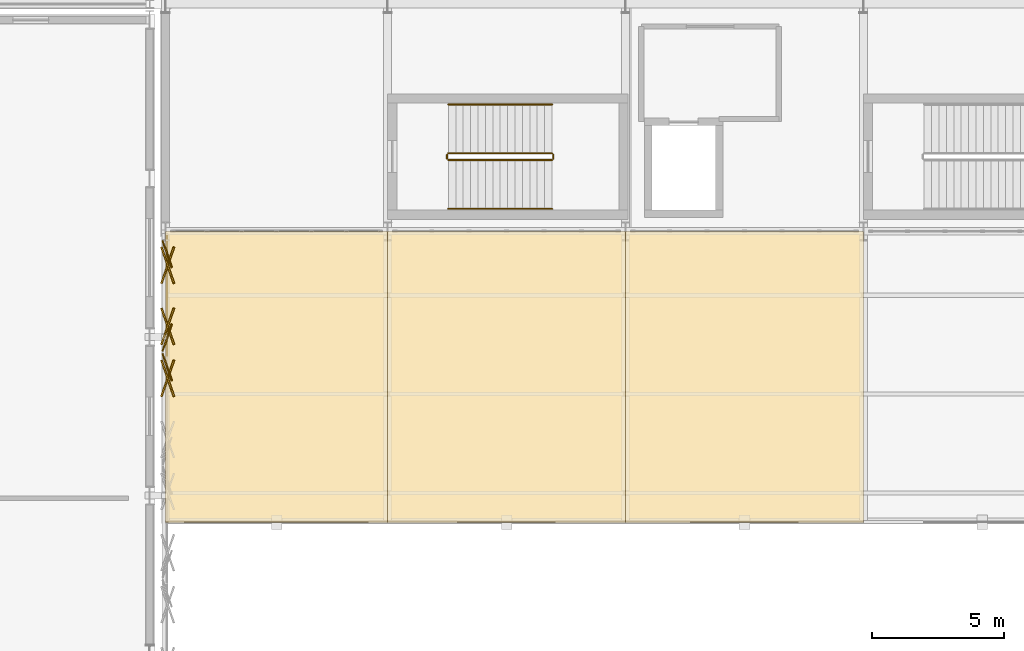
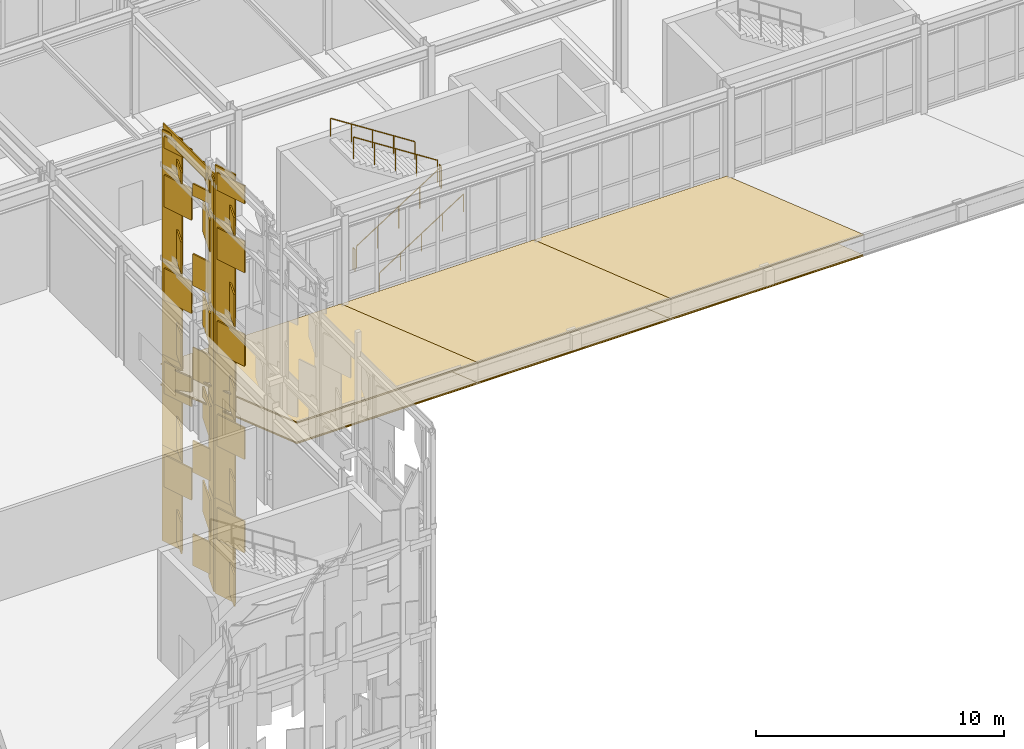
# One storey, part 222 of 239: 55 coverings, 6 railings.
"""IFC4 building model written with IfcOpenShell, lengths in metres."""

from ifc_helpers import new_model, si_unit, direction, frame, origin, origin_2d, place, context, subcontext, project, spatial, polyline, rectangle, circle, outline, extrude, material, layer, layer_set, type_object, element, save


model = new_model("IFC4")

# Units and contexts
model_context = context("Model", 3, precision=1e-05, world=origin(), true_north=direction((0.0, 1.0)))
body_context = subcontext(model_context, "Body", "Model", "MODEL_VIEW")
ifc_project = project(units=[si_unit("LENGTHUNIT", "METRE"), si_unit("AREAUNIT", "SQUARE_METRE"), si_unit("VOLUMEUNIT", "CUBIC_METRE"), si_unit("PLANEANGLEUNIT", "RADIAN"), si_unit("MASSUNIT", "GRAM", prefix="KILO")], contexts=[model_context])

# Site, building, storey
site_placement = place(None, origin())
site = spatial("IfcSite", under=ifc_project, at=site_placement, CompositionType="ELEMENT")
building_placement = place(site_placement, origin())
building = spatial("IfcBuilding", under=site, at=building_placement, Name="Kaldris Quays Convention Centre", CompositionType="ELEMENT")
storey_placement = place(building_placement, frame((0.0, 0.0, 11.39990234375)))
storey = spatial("IfcBuildingStorey", under=building, at=storey_placement, Name="L02", CompositionType="ELEMENT", Elevation=11.39990234375)

# Coverings
ifc_material_1 = material(Name="Alabaster white star-pierced anodized aluminium panel", Category="aluminium")
ifc_layer_1 = layer(ifc_material_1, 0.054931640625)
ifc_layer_set_1 = layer_set([ifc_layer_1], Name="Alabaster white star-pierced anodized aluminium panel")
covering_type_1 = type_object("IfcCoveringType", Name="ALABASTER WHITE STANDING SEAM ROOF SRF1", PredefinedType="ROOFING", material=ifc_layer_set_1)
covering_1_placement = place(storey_placement, frame((83.60009765625, 27.0, 4.642578125), z_axis=(0.0, 0.325567686474, 0.945518736739), x_axis=(1.0, 0.0, 0.0)))
element("IfcCovering", 1, at=covering_1_placement, inside=storey, type_object=covering_type_1, Name="WR-SOUTH-ENTRY Alabaster White Raised Wing Top Cladding 10", PredefinedType="ROOFING", context=body_context, shape_type="SweptSolid", body=[
    extrude(outline(polyline([(0.0, 0.0), (8.39990234375, 0.0), (8.39990234375, 11.633825510365476), (0.0, 11.633825510365476), (0.0, 0.0)])), origin(), (0.0, 0.0, -1.0), 0.054931640625),
])
for number, where, z_axis, x_axis, name in (
    (2, (92.0, 27.0, 4.642578125), (0.0, 0.325567686474, 0.945518736739), (1.0, 0.0, 0.0), "WR-SOUTH-ENTRY Alabaster White Raised Wing Top Cladding 11"),
    (3, (101.0, 27.0, 4.642578125), (0.0, 0.325567686474, 0.945518736739), (1.0, 0.0, 0.0), "WR-SOUTH-ENTRY Alabaster White Raised Wing Top Cladding 12"),
):
    element("IfcCovering", number, at=place(storey_placement, frame(where, z_axis=z_axis, x_axis=x_axis)), inside=storey, type_object=covering_type_1, Name=name, PredefinedType="ROOFING", context=body_context, shape_type="SweptSolid", body=[
        extrude(outline(polyline([(0.0, 0.0), (9.0, 0.0), (9.0, 11.633825510365472), (0.0, 11.633825510365472), (0.0, 0.0)])), origin(), (0.0, 0.0, -1.0), 0.054931640625),
    ])
ifc_material_2 = material(Name="Glulam GL28h", Category="wood")
ifc_layer_2 = layer(ifc_material_2, 0.0400390625)
ifc_layer_set_2 = layer_set([ifc_layer_2], Name="Glulam GL28h")
covering_type_2 = type_object("IfcCoveringType", Name="GLULAM WING SOFFIT TRIM SF02", PredefinedType="CEILING", material=ifc_layer_set_2)
covering_2_placement = place(storey_placement, frame((83.60009765625, 27.0, 3.600341796875), z_axis=(0.0, 0.325567686474, 0.945518736739), x_axis=(1.0, 0.0, 0.0)))
element("IfcCovering", 4, at=covering_2_placement, inside=storey, type_object=covering_type_2, Name="WR-SOUTH-ENTRY Glulam GL28h Wing Soffit Trim 10", PredefinedType="CEILING", context=body_context, shape_type="SweptSolid", body=[
    extrude(outline(polyline([(0.0, 0.0), (8.39990234375, 0.0), (8.39990234375, 11.633825510365476), (0.0, 11.633825510365476), (0.0, 0.0)])), origin(), (0.0, 0.0, -1.0), 0.0400390625),
])
for number, where, z_axis, x_axis, name in (
    (5, (92.0, 27.0, 3.600341796875), (0.0, 0.325567686474, 0.945518736739), (1.0, 0.0, 0.0), "WR-SOUTH-ENTRY Glulam GL28h Wing Soffit Trim 11"),
    (6, (101.0, 27.0, 3.600341796875), (0.0, 0.325567686474, 0.945518736739), (1.0, 0.0, 0.0), "WR-SOUTH-ENTRY Glulam GL28h Wing Soffit Trim 12"),
):
    element("IfcCovering", number, at=place(storey_placement, frame(where, z_axis=z_axis, x_axis=x_axis)), inside=storey, type_object=covering_type_2, Name=name, PredefinedType="CEILING", context=body_context, shape_type="SweptSolid", body=[
        extrude(outline(polyline([(0.0, 0.0), (9.0, 0.0), (9.0, 11.633825510365472), (0.0, 11.633825510365472), (0.0, 0.0)])), origin(), (0.0, 0.0, -1.0), 0.0400390625),
    ])

# Railings
ifc_material_3 = material(Name="Steel S355J2", Category="steel")
railing_type_1 = type_object("IfcRailingType", Name="INTERIOR GUARDRAIL GR01", PredefinedType="GUARDRAIL", material=ifc_material_3)
railing_1_placement = place(storey_placement, frame((94.300048828125, 40.699951171875, 0.18017578125)))
element("IfcRailing", 7, at=railing_1_placement, inside=storey, type_object=railing_type_1, Name="L02 ST11 Stair Guardrail 1", PredefinedType="GUARDRAIL", context=body_context, shape_type="SweptSolid", body=[
    extrude(circle(Radius=0.02392578125, at=origin_2d()), frame((0.0, 0.0, 1.076171875), z_axis=(0.841171666519, 0.0, 0.540768182723), x_axis=(0.0, 1.0, 0.0)), (0.0, 0.0, 1.0), 4.66015625),
    extrude(circle(Radius=0.02099609375, at=origin_2d()), origin(), (0.0, 0.0, 1.0), 1.052001953125),
    extrude(circle(Radius=0.02099609375, at=origin_2d()), frame((0.97998046875, 0.0, 0.6298828125)), (0.0, 0.0, 1.0), 1.052001953125),
    extrude(circle(Radius=0.02099609375, at=origin_2d()), frame((1.9599609375, 0.0, 1.260009765625)), (0.0, 0.0, 1.0), 1.052001953125),
    extrude(circle(Radius=0.02099609375, at=origin_2d()), frame((2.93994140625, 0.0, 1.89013671875)), (0.0, 0.0, 1.0), 1.052001953125),
    extrude(circle(Radius=0.02099609375, at=origin_2d()), frame((3.919921875, 0.0, 2.52001953125)), (0.0, 0.0, 1.0), 1.052001953125),
])
railing_2_placement = place(storey_placement, frame((98.27001953125, 40.75, 2.7001953125)))
element("IfcRailing", 8, at=railing_2_placement, inside=storey, type_object=railing_type_1, Name="L02 ST11 Stair Guardrail 2", PredefinedType="GUARDRAIL", context=body_context, shape_type="SweptSolid", body=[
    extrude(circle(Radius=0.02392578125, at=origin_2d()), frame((0.0, 0.0, 1.076171875), z_axis=(0.0, 1.0, 0.0), x_axis=(-1.0, 0.0, 0.0)), (0.0, 0.0, 1.0), 0.14990234375),
    extrude(circle(Radius=0.02099609375, at=origin_2d()), origin(), (0.0, 0.0, 1.0), 1.052001953125),
    extrude(circle(Radius=0.02099609375, at=origin_2d()), frame((0.0, 0.14990234375, 0.0)), (0.0, 0.0, 1.0), 1.052001953125),
])
railing_3_placement = place(storey_placement, frame((98.219970703125, 40.949951171875, 2.880126953125)))
element("IfcRailing", 9, at=railing_3_placement, inside=storey, type_object=railing_type_1, Name="L02 ST11 Stair Guardrail 3", PredefinedType="GUARDRAIL", context=body_context, shape_type="SweptSolid", body=[
    extrude(circle(Radius=0.02392578125, at=origin_2d()), frame((0.0, 0.0, 1.076171875), z_axis=(-0.841171666519, 0.0, 0.540768182723), x_axis=(0.0, -1.0, 0.0)), (0.0, 0.0, 1.0), 4.66015625),
    extrude(circle(Radius=0.02099609375, at=origin_2d()), origin(), (0.0, 0.0, 1.0), 1.052001953125),
    extrude(circle(Radius=0.02099609375, at=origin_2d()), frame((-0.97998046875, 0.0, 0.6298828125)), (0.0, 0.0, 1.0), 1.052001953125),
    extrude(circle(Radius=0.02099609375, at=origin_2d()), frame((-1.9599609375, 0.0, 1.260009765625)), (0.0, 0.0, 1.0), 1.052001953125),
    extrude(circle(Radius=0.02099609375, at=origin_2d()), frame((-2.93994140625, 0.0, 1.89013671875)), (0.0, 0.0, 1.0), 1.052001953125),
    extrude(circle(Radius=0.02099609375, at=origin_2d()), frame((-3.919921875, 0.0, 2.52001953125)), (0.0, 0.0, 1.0), 1.052001953125),
])
railing_4_placement = place(storey_placement, frame((94.25, 40.75, 0.0)))
element("IfcRailing", 10, at=railing_4_placement, inside=storey, type_object=railing_type_1, Name="L02 ST11 Stair Guardrail 4", PredefinedType="GUARDRAIL", context=body_context, shape_type="SweptSolid", body=[
    extrude(circle(Radius=0.02392578125, at=origin_2d()), frame((0.0, 0.0, 1.076171875), z_axis=(0.0, 1.0, 0.0), x_axis=(-1.0, 0.0, 0.0)), (0.0, 0.0, 1.0), 0.14990234375),
    extrude(circle(Radius=0.02099609375, at=origin_2d()), origin(), (0.0, 0.0, 1.0), 1.052001953125),
    extrude(circle(Radius=0.02099609375, at=origin_2d()), frame((0.0, 0.14990234375, 0.0)), (0.0, 0.0, 1.0), 1.052001953125),
])
ifc_material_4 = material(Name="Stainless steel 1.4301", Category="steel")
railing_type_2 = type_object("IfcRailingType", Name="STAIR HANDRAIL HR01", PredefinedType="HANDRAIL", material=ifc_material_4)
railing_5_placement = place(storey_placement, frame((94.300048828125, 38.85009765625, 0.18017578125)))
element("IfcRailing", 11, at=railing_5_placement, inside=storey, type_object=railing_type_2, Name="L02 ST11 Flight Handrail 1", PredefinedType="HANDRAIL", context=body_context, shape_type="SweptSolid", body=[
    extrude(circle(Radius=0.02392578125, at=origin_2d()), frame((0.0, 0.0, 0.8759765625), z_axis=(0.841171666519, 0.0, 0.540768182723), x_axis=(0.0, 1.0, 0.0)), (0.0, 0.0, 1.0), 4.66015625),
    extrude(circle(Radius=0.02099609375, at=origin_2d()), origin(), (0.0, 0.0, 1.0), 0.851806640625),
    extrude(circle(Radius=0.02099609375, at=origin_2d()), frame((0.97998046875, 0.0, 0.6298828125)), (0.0, 0.0, 1.0), 0.851806640625),
    extrude(circle(Radius=0.02099609375, at=origin_2d()), frame((1.9599609375, 0.0, 1.260009765625)), (0.0, 0.0, 1.0), 0.851806640625),
    extrude(circle(Radius=0.02099609375, at=origin_2d()), frame((2.93994140625, 0.0, 1.89013671875)), (0.0, 0.0, 1.0), 0.851806640625),
    extrude(circle(Radius=0.02099609375, at=origin_2d()), frame((3.919921875, 0.0, 2.52001953125)), (0.0, 0.0, 1.0), 0.851806640625),
])
railing_6_placement = place(storey_placement, frame((98.219970703125, 42.800048828125, 2.880126953125)))
element("IfcRailing", 12, at=railing_6_placement, inside=storey, type_object=railing_type_2, Name="L02 ST11 Flight Handrail 2", PredefinedType="HANDRAIL", context=body_context, shape_type="SweptSolid", body=[
    extrude(circle(Radius=0.02392578125, at=origin_2d()), frame((0.0, 0.0, 0.8759765625), z_axis=(-0.841171666519, 0.0, 0.540768182723), x_axis=(0.0, -1.0, 0.0)), (0.0, 0.0, 1.0), 4.66015625),
    extrude(circle(Radius=0.02099609375, at=origin_2d()), origin(), (0.0, 0.0, 1.0), 0.851806640625),
    extrude(circle(Radius=0.02099609375, at=origin_2d()), frame((-0.97998046875, 0.0, 0.6298828125)), (0.0, 0.0, 1.0), 0.851806640625),
    extrude(circle(Radius=0.02099609375, at=origin_2d()), frame((-1.9599609375, 0.0, 1.260009765625)), (0.0, 0.0, 1.0), 0.851806640625),
    extrude(circle(Radius=0.02099609375, at=origin_2d()), frame((-2.93994140625, 0.0, 1.89013671875)), (0.0, 0.0, 1.0), 0.851806640625),
    extrude(circle(Radius=0.02099609375, at=origin_2d()), frame((-3.919921875, 0.0, 2.52001953125)), (0.0, 0.0, 1.0), 0.851806640625),
])

# Coverings
ifc_layer_3 = layer(ifc_material_1, 0.044921875)
ifc_layer_set_3 = layer_set([ifc_layer_3], Name="Alabaster white star-pierced anodized aluminium panel")
covering_type_3 = type_object("IfcCoveringType", Name="STAR PIERCED WHITE FOLDED SCREEN CL01", PredefinedType="CLADDING", material=ifc_layer_set_3)
covering_3_placement = place(storey_placement, frame((83.659912109375, 32.863525390625, -7.60986328125), z_axis=(0.0, 0.0, 1.0), x_axis=(-0.325568154457, 0.945518575599, 0.0)))
element("IfcCovering", 13, at=covering_3_placement, inside=storey, type_object=covering_type_3, Name="V3E Folded White Screen Stile 3535", PredefinedType="CLADDING", context=body_context, shape_type="SweptSolid", body=[
    extrude(rectangle(XDim=1.0859375, YDim=0.054931640625, at=origin_2d()), origin(), (0.0, 0.0, 1.0), 4.719970703125),
])
for number, where, z_axis, x_axis, name in (
    (14, (83.679931640625, 32.435546875, -7.27392578125), (0.0, 0.0, 1.0), (0.325568154457, 0.945518575599, 0.0), "V3E Carved Star Corner Facet 3538"),
    (15, (83.679931640625, 32.435546875, -4.789794921875), (0.0, 0.0, 1.0), (-0.325568154457, 0.945518575599, 0.0), "V3E Carved Star Corner Facet 3539"),
):
    element("IfcCovering", number, at=place(storey_placement, frame(where, z_axis=z_axis, x_axis=x_axis)), inside=storey, type_object=covering_type_3, Name=name, PredefinedType="CLADDING", context=body_context, shape_type="SweptSolid", body=[
        extrude(rectangle(XDim=1.455078125, YDim=0.06494140625, at=origin_2d()), origin(), (0.0, 0.0, 1.0), 1.56396484375),
    ])
covering_4_placement = place(storey_placement, frame((83.659912109375, 32.863525390625, -3.009765625), z_axis=(0.0, 0.0, 1.0), x_axis=(-0.325568154457, 0.945518575599, 0.0)))
element("IfcCovering", 16, at=covering_4_placement, inside=storey, type_object=covering_type_3, Name="V3E Folded White Screen Stile 3541", PredefinedType="CLADDING", context=body_context, shape_type="SweptSolid", body=[
    extrude(rectangle(XDim=1.0859375, YDim=0.054931640625, at=origin_2d()), origin(), (0.0, 0.0, 1.0), 4.719970703125),
])
for number, where, z_axis, x_axis, name in (
    (17, (83.679931640625, 32.435546875, -2.673828125), (0.0, 0.0, 1.0), (0.325568154457, 0.945518575599, 0.0), "V3E Carved Star Corner Facet 3544"),
    (18, (83.679931640625, 32.435546875, -0.18994140625), (0.0, 0.0, 1.0), (-0.325568154457, 0.945518575599, 0.0), "V3E Carved Star Corner Facet 3545"),
):
    element("IfcCovering", number, at=place(storey_placement, frame(where, z_axis=z_axis, x_axis=x_axis)), inside=storey, type_object=covering_type_3, Name=name, PredefinedType="CLADDING", context=body_context, shape_type="SweptSolid", body=[
        extrude(rectangle(XDim=1.455078125, YDim=0.06494140625, at=origin_2d()), origin(), (0.0, 0.0, 1.0), 1.56396484375),
    ])
covering_5_placement = place(storey_placement, frame((83.659912109375, 32.863525390625, 1.59033203125), z_axis=(0.0, 0.0, 1.0), x_axis=(-0.325568154457, 0.945518575599, 0.0)))
element("IfcCovering", 19, at=covering_5_placement, inside=storey, type_object=covering_type_3, Name="V3E Folded White Screen Stile 3547", PredefinedType="CLADDING", context=body_context, shape_type="SweptSolid", body=[
    extrude(rectangle(XDim=1.0859375, YDim=0.054931640625, at=origin_2d()), origin(), (0.0, 0.0, 1.0), 4.719970703125),
])
for number, where, z_axis, x_axis, name in (
    (20, (83.679931640625, 32.435546875, 1.926025390625), (0.0, 0.0, 1.0), (0.325568154457, 0.945518575599, 0.0), "V3E Carved Star Corner Facet 3550"),
    (21, (83.679931640625, 32.435546875, 4.41015625), (0.0, 0.0, 1.0), (-0.325568154457, 0.945518575599, 0.0), "V3E Carved Star Corner Facet 3551"),
):
    element("IfcCovering", number, at=place(storey_placement, frame(where, z_axis=z_axis, x_axis=x_axis)), inside=storey, type_object=covering_type_3, Name=name, PredefinedType="CLADDING", context=body_context, shape_type="SweptSolid", body=[
        extrude(rectangle(XDim=1.455078125, YDim=0.06494140625, at=origin_2d()), origin(), (0.0, 0.0, 1.0), 1.56396484375),
    ])
covering_6_placement = place(storey_placement, frame((83.659912109375, 32.863525390625, 6.18994140625), z_axis=(0.0, 0.0, 1.0), x_axis=(-0.325568154457, 0.945518575599, 0.0)))
element("IfcCovering", 22, at=covering_6_placement, inside=storey, type_object=covering_type_3, Name="V3E Folded White Screen Stile 3553", PredefinedType="CLADDING", context=body_context, shape_type="SweptSolid", body=[
    extrude(rectangle(XDim=1.0859375, YDim=0.054931640625, at=origin_2d()), origin(), (0.0, 0.0, 1.0), 4.719970703125),
])
for number, where, z_axis, x_axis, name in (
    (23, (83.679931640625, 32.435546875, 6.526123046875), (0.0, 0.0, 1.0), (0.325568154457, 0.945518575599, 0.0), "V3E Carved Star Corner Facet 3556"),
    (24, (83.679931640625, 32.435546875, 9.010009765625), (0.0, 0.0, 1.0), (-0.325568154457, 0.945518575599, 0.0), "V3E Carved Star Corner Facet 3557"),
):
    element("IfcCovering", number, at=place(storey_placement, frame(where, z_axis=z_axis, x_axis=x_axis)), inside=storey, type_object=covering_type_3, Name=name, PredefinedType="CLADDING", context=body_context, shape_type="SweptSolid", body=[
        extrude(rectangle(XDim=1.455078125, YDim=0.06494140625, at=origin_2d()), origin(), (0.0, 0.0, 1.0), 1.56396484375),
    ])
covering_7_placement = place(storey_placement, frame((83.659912109375, 32.863525390625, 10.7900390625), z_axis=(0.0, 0.0, 1.0), x_axis=(-0.325568154457, 0.945518575599, 0.0)))
element("IfcCovering", 25, at=covering_7_placement, inside=storey, type_object=covering_type_3, Name="V3E Folded White Screen Stile 3559", PredefinedType="CLADDING", context=body_context, shape_type="SweptSolid", body=[
    extrude(rectangle(XDim=1.0859375, YDim=0.054931640625, at=origin_2d()), origin(), (0.0, 0.0, 1.0), 2.721923828125),
])
for number, where, z_axis, x_axis, name in (
    (26, (83.679931640625, 32.435546875, 11.005859375), (0.0, 0.0, 1.0), (0.325568154457, 0.945518575599, 0.0), "V3E Carved Star Corner Facet 3562"),
    (27, (83.679931640625, 32.435546875, 12.4111328125), (0.0, 0.0, 1.0), (-0.325568154457, 0.945518575599, 0.0), "V3E Carved Star Corner Facet 3563"),
):
    element("IfcCovering", number, at=place(storey_placement, frame(where, z_axis=z_axis, x_axis=x_axis)), inside=storey, type_object=covering_type_3, Name=name, PredefinedType="CLADDING", context=body_context, shape_type="SweptSolid", body=[
        extrude(rectangle(XDim=1.455078125, YDim=0.06494140625, at=origin_2d()), origin(), (0.0, 0.0, 1.0), 0.885009765625),
    ])
covering_8_placement = place(storey_placement, frame((83.64990234375, 35.56005859375, 12.10595703125), z_axis=(0.0, 0.0, 1.0), x_axis=(0.0, 1.0, 0.0)))
element("IfcCovering", 28, at=covering_8_placement, inside=storey, type_object=covering_type_3, Name="V3E Gable White Screen Cap Band 3564", PredefinedType="CLADDING", context=body_context, shape_type="SweptSolid", body=[
    extrude(rectangle(XDim=4.580078125, YDim=0.054931640625, at=origin_2d()), origin(), (0.0, 0.0, 1.0), 0.679931640625),
])
for number, where, z_axis, x_axis, name in (
    (29, (83.659912109375, 33.976318359375, -7.60986328125), (0.0, 0.0, 1.0), (0.325568154457, 0.945518575599, 0.0), "V3E Folded White Screen Stile 3565"),
    (30, (83.659912109375, 37.1435546875, -7.60986328125), (0.0, 0.0, 1.0), (-0.325568154457, 0.945518575599, 0.0), "V3E Folded White Screen Stile 3566"),
):
    element("IfcCovering", number, at=place(storey_placement, frame(where, z_axis=z_axis, x_axis=x_axis)), inside=storey, type_object=covering_type_3, Name=name, PredefinedType="CLADDING", context=body_context, shape_type="SweptSolid", body=[
        extrude(rectangle(XDim=1.0859375, YDim=0.054931640625, at=origin_2d()), origin(), (0.0, 0.0, 1.0), 4.719970703125),
    ])
for number, where, z_axis, x_axis, name in (
    (31, (83.679931640625, 34.404296875, -7.27392578125), (0.0, 0.0, 1.0), (-0.325568154457, 0.945518575599, 0.0), "V3E Carved Star Corner Facet 3567"),
    (32, (83.679931640625, 34.404296875, -4.789794921875), (0.0, 0.0, 1.0), (0.325568154457, 0.945518575599, 0.0), "V3E Carved Star Corner Facet 3568"),
    (33, (83.679931640625, 36.715576171875, -7.27392578125), (0.0, 0.0, 1.0), (0.325568154457, 0.945518575599, 0.0), "V3E Carved Star Corner Facet 3569"),
    (34, (83.679931640625, 36.715576171875, -4.789794921875), (0.0, 0.0, 1.0), (-0.325568154457, 0.945518575599, 0.0), "V3E Carved Star Corner Facet 3570"),
):
    element("IfcCovering", number, at=place(storey_placement, frame(where, z_axis=z_axis, x_axis=x_axis)), inside=storey, type_object=covering_type_3, Name=name, PredefinedType="CLADDING", context=body_context, shape_type="SweptSolid", body=[
        extrude(rectangle(XDim=1.455078125, YDim=0.06494140625, at=origin_2d()), origin(), (0.0, 0.0, 1.0), 1.56396484375),
    ])
for number, where, z_axis, x_axis, name in (
    (35, (83.659912109375, 33.976318359375, -3.009765625), (0.0, 0.0, 1.0), (0.325568154457, 0.945518575599, 0.0), "V3E Folded White Screen Stile 3571"),
    (36, (83.659912109375, 37.1435546875, -3.009765625), (0.0, 0.0, 1.0), (-0.325568154457, 0.945518575599, 0.0), "V3E Folded White Screen Stile 3572"),
):
    element("IfcCovering", number, at=place(storey_placement, frame(where, z_axis=z_axis, x_axis=x_axis)), inside=storey, type_object=covering_type_3, Name=name, PredefinedType="CLADDING", context=body_context, shape_type="SweptSolid", body=[
        extrude(rectangle(XDim=1.0859375, YDim=0.054931640625, at=origin_2d()), origin(), (0.0, 0.0, 1.0), 4.719970703125),
    ])
for number, where, z_axis, x_axis, name in (
    (37, (83.679931640625, 34.404296875, -2.673828125), (0.0, 0.0, 1.0), (-0.325568154457, 0.945518575599, 0.0), "V3E Carved Star Corner Facet 3573"),
    (38, (83.679931640625, 34.404296875, -0.18994140625), (0.0, 0.0, 1.0), (0.325568154457, 0.945518575599, 0.0), "V3E Carved Star Corner Facet 3574"),
    (39, (83.679931640625, 36.715576171875, -2.673828125), (0.0, 0.0, 1.0), (0.325568154457, 0.945518575599, 0.0), "V3E Carved Star Corner Facet 3575"),
    (40, (83.679931640625, 36.715576171875, -0.18994140625), (0.0, 0.0, 1.0), (-0.325568154457, 0.945518575599, 0.0), "V3E Carved Star Corner Facet 3576"),
):
    element("IfcCovering", number, at=place(storey_placement, frame(where, z_axis=z_axis, x_axis=x_axis)), inside=storey, type_object=covering_type_3, Name=name, PredefinedType="CLADDING", context=body_context, shape_type="SweptSolid", body=[
        extrude(rectangle(XDim=1.455078125, YDim=0.06494140625, at=origin_2d()), origin(), (0.0, 0.0, 1.0), 1.56396484375),
    ])
for number, where, z_axis, x_axis, name in (
    (41, (83.659912109375, 33.976318359375, 1.59033203125), (0.0, 0.0, 1.0), (0.325568154457, 0.945518575599, 0.0), "V3E Folded White Screen Stile 3577"),
    (42, (83.659912109375, 37.1435546875, 1.59033203125), (0.0, 0.0, 1.0), (-0.325568154457, 0.945518575599, 0.0), "V3E Folded White Screen Stile 3578"),
):
    element("IfcCovering", number, at=place(storey_placement, frame(where, z_axis=z_axis, x_axis=x_axis)), inside=storey, type_object=covering_type_3, Name=name, PredefinedType="CLADDING", context=body_context, shape_type="SweptSolid", body=[
        extrude(rectangle(XDim=1.0859375, YDim=0.054931640625, at=origin_2d()), origin(), (0.0, 0.0, 1.0), 4.719970703125),
    ])
for number, where, z_axis, x_axis, name in (
    (43, (83.679931640625, 34.404296875, 1.926025390625), (0.0, 0.0, 1.0), (-0.325568154457, 0.945518575599, 0.0), "V3E Carved Star Corner Facet 3579"),
    (44, (83.679931640625, 34.404296875, 4.41015625), (0.0, 0.0, 1.0), (0.325568154457, 0.945518575599, 0.0), "V3E Carved Star Corner Facet 3580"),
    (45, (83.679931640625, 36.715576171875, 1.926025390625), (0.0, 0.0, 1.0), (0.325568154457, 0.945518575599, 0.0), "V3E Carved Star Corner Facet 3581"),
    (46, (83.679931640625, 36.715576171875, 4.41015625), (0.0, 0.0, 1.0), (-0.325568154457, 0.945518575599, 0.0), "V3E Carved Star Corner Facet 3582"),
):
    element("IfcCovering", number, at=place(storey_placement, frame(where, z_axis=z_axis, x_axis=x_axis)), inside=storey, type_object=covering_type_3, Name=name, PredefinedType="CLADDING", context=body_context, shape_type="SweptSolid", body=[
        extrude(rectangle(XDim=1.455078125, YDim=0.06494140625, at=origin_2d()), origin(), (0.0, 0.0, 1.0), 1.56396484375),
    ])
for number, where, z_axis, x_axis, name in (
    (47, (83.659912109375, 33.976318359375, 6.18994140625), (0.0, 0.0, 1.0), (0.325568154457, 0.945518575599, 0.0), "V3E Folded White Screen Stile 3583"),
    (48, (83.659912109375, 37.1435546875, 6.18994140625), (0.0, 0.0, 1.0), (-0.325568154457, 0.945518575599, 0.0), "V3E Folded White Screen Stile 3584"),
):
    element("IfcCovering", number, at=place(storey_placement, frame(where, z_axis=z_axis, x_axis=x_axis)), inside=storey, type_object=covering_type_3, Name=name, PredefinedType="CLADDING", context=body_context, shape_type="SweptSolid", body=[
        extrude(rectangle(XDim=1.0859375, YDim=0.054931640625, at=origin_2d()), origin(), (0.0, 0.0, 1.0), 4.719970703125),
    ])
for number, where, z_axis, x_axis, name in (
    (49, (83.679931640625, 34.404296875, 6.526123046875), (0.0, 0.0, 1.0), (-0.325568154457, 0.945518575599, 0.0), "V3E Carved Star Corner Facet 3585"),
    (50, (83.679931640625, 34.404296875, 9.010009765625), (0.0, 0.0, 1.0), (0.325568154457, 0.945518575599, 0.0), "V3E Carved Star Corner Facet 3586"),
    (51, (83.679931640625, 36.715576171875, 6.526123046875), (0.0, 0.0, 1.0), (0.325568154457, 0.945518575599, 0.0), "V3E Carved Star Corner Facet 3587"),
    (52, (83.679931640625, 36.715576171875, 9.010009765625), (0.0, 0.0, 1.0), (-0.325568154457, 0.945518575599, 0.0), "V3E Carved Star Corner Facet 3588"),
):
    element("IfcCovering", number, at=place(storey_placement, frame(where, z_axis=z_axis, x_axis=x_axis)), inside=storey, type_object=covering_type_3, Name=name, PredefinedType="CLADDING", context=body_context, shape_type="SweptSolid", body=[
        extrude(rectangle(XDim=1.455078125, YDim=0.06494140625, at=origin_2d()), origin(), (0.0, 0.0, 1.0), 1.56396484375),
    ])
for number, where, z_axis, x_axis, name in (
    (53, (83.659912109375, 33.976318359375, 10.7900390625), (0.0, 0.0, 1.0), (0.325568154457, 0.945518575599, 0.0), "V3E Folded White Screen Stile 3589"),
    (54, (83.659912109375, 37.1435546875, 10.7900390625), (0.0, 0.0, 1.0), (-0.325568154457, 0.945518575599, 0.0), "V3E Folded White Screen Stile 3590"),
):
    element("IfcCovering", number, at=place(storey_placement, frame(where, z_axis=z_axis, x_axis=x_axis)), inside=storey, type_object=covering_type_3, Name=name, PredefinedType="CLADDING", context=body_context, shape_type="SweptSolid", body=[
        extrude(rectangle(XDim=1.0859375, YDim=0.054931640625, at=origin_2d()), origin(), (0.0, 0.0, 1.0), 1.865966796875),
    ])
for number, where, z_axis, x_axis, name in (
    (55, (83.679931640625, 34.404296875, 10.95458984375), (0.0, 0.0, 1.0), (-0.325568154457, 0.945518575599, 0.0), "V3E Carved Star Corner Facet 3591"),
    (56, (83.679931640625, 34.404296875, 11.8974609375), (0.0, 0.0, 1.0), (0.325568154457, 0.945518575599, 0.0), "V3E Carved Star Corner Facet 3592"),
    (57, (83.679931640625, 36.715576171875, 10.95458984375), (0.0, 0.0, 1.0), (0.325568154457, 0.945518575599, 0.0), "V3E Carved Star Corner Facet 3593"),
    (58, (83.679931640625, 36.715576171875, 11.8974609375), (0.0, 0.0, 1.0), (-0.325568154457, 0.945518575599, 0.0), "V3E Carved Star Corner Facet 3594"),
):
    element("IfcCovering", number, at=place(storey_placement, frame(where, z_axis=z_axis, x_axis=x_axis)), inside=storey, type_object=covering_type_3, Name=name, PredefinedType="CLADDING", context=body_context, shape_type="SweptSolid", body=[
        extrude(rectangle(XDim=1.455078125, YDim=0.06494140625, at=origin_2d()), origin(), (0.0, 0.0, 1.0), 0.593994140625),
    ])
ifc_layer_4 = layer(ifc_material_1, 0.034912109375)
ifc_layer_set_4 = layer_set([ifc_layer_4], Name="Alabaster white star-pierced anodized aluminium panel")
covering_type_4 = type_object("IfcCoveringType", Name="STAR PIERCED WHITE WING SOFFIT SF01", PredefinedType="CEILING", material=ifc_layer_set_4)
covering_9_placement = place(storey_placement, frame((83.60009765625, 27.0, 3.6455078125), z_axis=(0.0, 0.325567686474, 0.945518736739), x_axis=(1.0, 0.0, 0.0)))
element("IfcCovering", 59, at=covering_9_placement, inside=storey, type_object=covering_type_4, Name="WR-SOUTH-ENTRY Star-Pierced White Wing Soffit 10", PredefinedType="CEILING", context=body_context, shape_type="SweptSolid", body=[
    extrude(outline(polyline([(0.0, 0.0), (8.39990234375, 0.0), (8.39990234375, 11.633825510365476), (0.0, 11.633825510365476), (0.0, 0.0)])), origin(), (0.0, 0.0, -1.0), 0.044921875),
])
for number, where, z_axis, x_axis, name in (
    (60, (92.0, 27.0, 3.6455078125), (0.0, 0.325567686474, 0.945518736739), (1.0, 0.0, 0.0), "WR-SOUTH-ENTRY Star-Pierced White Wing Soffit 11"),
    (61, (101.0, 27.0, 3.6455078125), (0.0, 0.325567686474, 0.945518736739), (1.0, 0.0, 0.0), "WR-SOUTH-ENTRY Star-Pierced White Wing Soffit 12"),
):
    element("IfcCovering", number, at=place(storey_placement, frame(where, z_axis=z_axis, x_axis=x_axis)), inside=storey, type_object=covering_type_4, Name=name, PredefinedType="CEILING", context=body_context, shape_type="SweptSolid", body=[
        extrude(outline(polyline([(0.0, 0.0), (9.0, 0.0), (9.0, 11.633825510365472), (0.0, 11.633825510365472), (0.0, 0.0)])), origin(), (0.0, 0.0, -1.0), 0.044921875),
    ])

save(model, "model.ifc")
